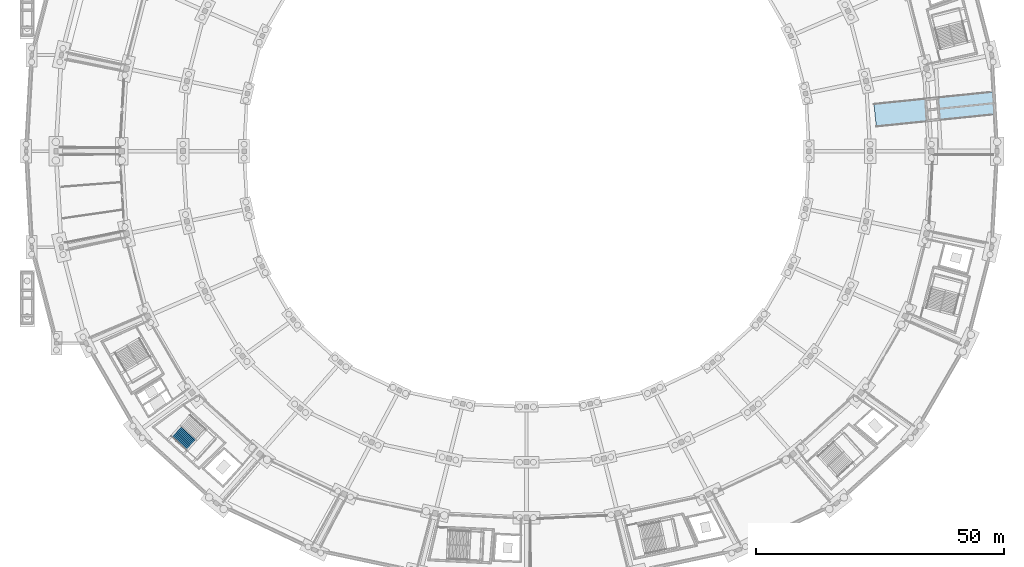
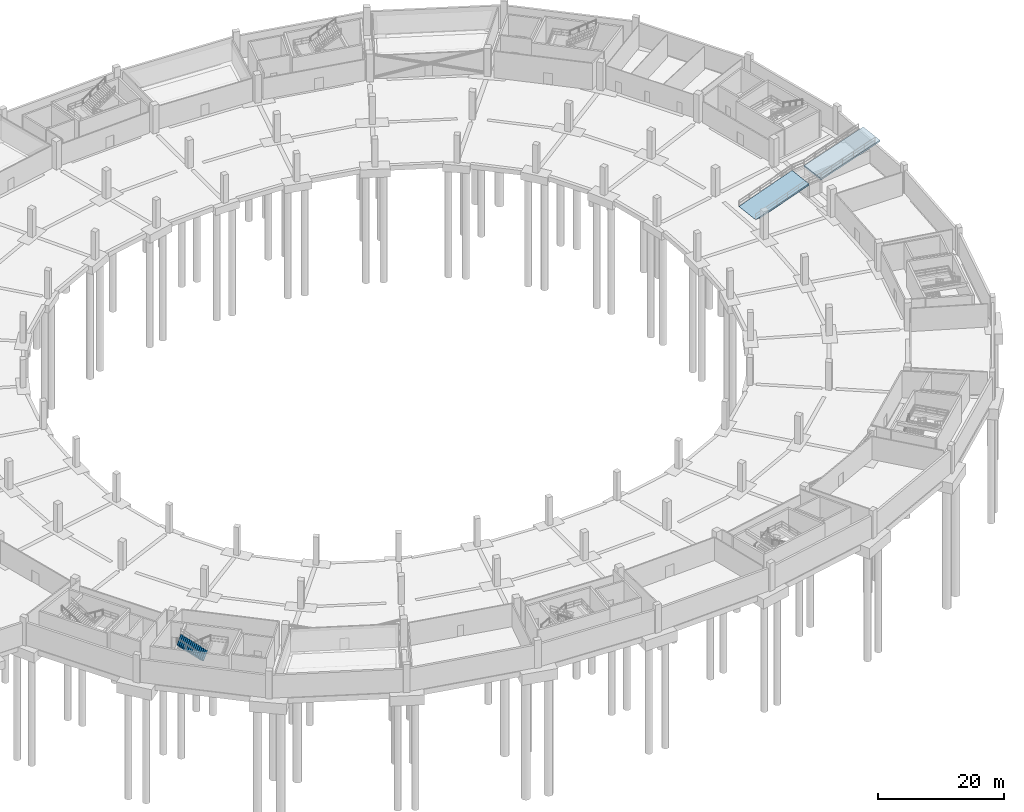
# One storey, part 19 of 49: 2 slabs, 1 stair flight, 1 element without a shape of its own.
"""IFC4 building model written with IfcOpenShell, lengths in metres."""

from ifc_helpers import new_model, si_unit, direction, frame, origin, place, context, subcontext, project, spatial, polygons, material, layer, layer_set, type_object, element, aggregate, save


model = new_model("IFC4")

# Units and contexts
model_context = context("Model", 3, precision=1e-05, world=origin(), true_north=direction((0.0, 1.0)))
body_context = subcontext(model_context, "Body", "Model", "MODEL_VIEW")
ifc_project = project(units=[si_unit("LENGTHUNIT", "METRE"), si_unit("AREAUNIT", "SQUARE_METRE"), si_unit("VOLUMEUNIT", "CUBIC_METRE"), si_unit("PLANEANGLEUNIT", "RADIAN"), si_unit("MASSUNIT", "GRAM", prefix="KILO")], contexts=[model_context])

# Site, building, storey
site_placement = place(None, origin())
site = spatial("IfcSite", under=ifc_project, at=site_placement, CompositionType="ELEMENT")
building_placement = place(site_placement, origin())
building = spatial("IfcBuilding", under=site, at=building_placement, Name="Kazemori Nagisa Stadium", CompositionType="ELEMENT")
storey_placement = place(building_placement, frame((0.0, 0.0, -5.43994140625)))
storey = spatial("IfcBuildingStorey", under=building, at=storey_placement, Name="B1", CompositionType="ELEMENT", Elevation=-5.43994140625)

# Slabs
ifc_material_1 = material(Name="Concrete C40/50 (Fc42)", Category="concrete")
ifc_layer = layer(ifc_material_1, 0.300048828125, Name="Concrete C40/50 (Fc42)", Category="concrete")
ifc_layer_set = layer_set([ifc_layer], Name="Concrete C40/50 (Fc42)")
slab_type = type_object("IfcSlabType", Name="RampFlight_RFL-VEH-08", PredefinedType="USERDEFINED", material=ifc_layer_set)
slab_1_placement = place(storey_placement, frame((193.358154296875, 109.2255859375, 0.0), z_axis=(0.0, 0.0, 1.0), x_axis=(0.994763296318, 0.102162478083, 0.0)))
element("IfcSlab", 1, at=slab_1_placement, inside=storey, type_object=slab_type, Name="Vehicle service ramp RV1 lower flight", ObjectType="RAMP FLIGHT", PredefinedType="USERDEFINED", context=body_context, shape_type="Tessellation", body=[
    polygons([(1.152099609375, -2.280029296875, 0.0), (0.0, -2.280029296875, 0.0), (10.443115234375, -2.280029296875, 2.719970703125), (10.443115234375, -2.280029296875, 2.419921875), (1.152099609375, -0.182373046875, 0.0), (0.0, -0.182373046875, 0.0), (10.443115234375, -0.182373046875, 2.719970703125), (10.443115234375, -0.182373046875, 2.419921875), (1.152099609375, 0.0, 0.0), (0.0, 0.0, 0.0), (10.443115234375, 0.0, 2.719970703125), (10.443115234375, 0.0, 2.419921875), (1.152099609375, 0.182373046875, 0.0), (0.0, 0.182373046875, 0.0), (10.443115234375, 0.182373046875, 2.719970703125), (10.443115234375, 0.182373046875, 2.419921875), (1.152099609375, 2.280029296875, 0.0), (0.0, 2.280029296875, 0.0), (10.443115234375, 2.280029296875, 2.719970703125), (10.443115234375, 2.280029296875, 2.419921875)], [[[1, 2, 6]], [[1, 6, 5]], [[2, 3, 7]], [[2, 7, 6]], [[3, 4, 8]], [[3, 8, 7]], [[4, 1, 5]], [[4, 5, 8]], [[5, 6, 10]], [[5, 10, 9]], [[6, 7, 11]], [[6, 11, 10]], [[7, 8, 12]], [[7, 12, 11]], [[8, 5, 9]], [[8, 9, 12]], [[9, 10, 14]], [[9, 14, 13]], [[10, 11, 15]], [[10, 15, 14]], [[11, 12, 16]], [[11, 16, 15]], [[12, 9, 13]], [[12, 13, 16]], [[13, 14, 18]], [[13, 18, 17]], [[14, 15, 19]], [[14, 19, 18]], [[15, 16, 20]], [[15, 20, 19]], [[16, 13, 17]], [[16, 17, 20]], [[3, 2, 1]], [[17, 18, 19]], [[4, 3, 1]], [[17, 19, 20]]], closed=True),
])
slab_2_placement = place(storey_placement, frame((206.107666015625, 110.534912109375, 2.719970703125), z_axis=(0.0, 0.0, 1.0), x_axis=(0.994772454206, 0.102169009928, 0.0)))
element("IfcSlab", 2, at=slab_2_placement, inside=storey, type_object=slab_type, Name="Vehicle service ramp RV1 upper flight", ObjectType="RAMP FLIGHT", PredefinedType="USERDEFINED", context=body_context, shape_type="Tessellation", body=[
    polygons([(0.0, -2.280029296875, -0.300048828125), (0.0, -2.280029296875, 0.0), (11.582275390625, -2.280029296875, 2.719970703125), (11.582275390625, -2.280029296875, 2.419921875), (0.0, -0.182373046875, -0.300048828125), (0.0, -0.182373046875, 0.0), (11.582275390625, -0.182373046875, 2.719970703125), (11.582275390625, -0.182373046875, 2.419921875), (0.0, 0.0, -0.300048828125), (0.0, 0.0, 0.0), (11.582275390625, 0.0, 2.719970703125), (11.582275390625, 0.0, 2.419921875), (0.0, 0.182373046875, -0.300048828125), (0.0, 0.182373046875, 0.0), (11.582275390625, 0.182373046875, 2.719970703125), (11.582275390625, 0.182373046875, 2.419921875), (0.0, 2.280029296875, -0.300048828125), (0.0, 2.280029296875, 0.0), (11.582275390625, 2.280029296875, 2.719970703125), (11.582275390625, 2.280029296875, 2.419921875)], [[[1, 2, 6]], [[1, 6, 5]], [[2, 3, 7]], [[2, 7, 6]], [[3, 4, 8]], [[3, 8, 7]], [[4, 1, 5]], [[4, 5, 8]], [[5, 6, 10]], [[5, 10, 9]], [[6, 7, 11]], [[6, 11, 10]], [[7, 8, 12]], [[7, 12, 11]], [[8, 5, 9]], [[8, 9, 12]], [[9, 10, 14]], [[9, 14, 13]], [[10, 11, 15]], [[10, 15, 14]], [[11, 12, 16]], [[11, 16, 15]], [[12, 9, 13]], [[12, 13, 16]], [[13, 14, 18]], [[13, 18, 17]], [[14, 15, 19]], [[14, 19, 18]], [[15, 16, 20]], [[15, 20, 19]], [[16, 13, 17]], [[16, 17, 20]], [[3, 2, 1]], [[17, 18, 19]], [[4, 3, 1]], [[17, 19, 20]]], closed=True),
])

# Stair, stair flight
ifc_material_2 = material(Name="Concrete C36/45 (Fc36)", Category="concrete")
stair_type = type_object("IfcStairType", Name="Stair_CORE_32", PredefinedType="TWO_STRAIGHT_RUN_STAIR", material=ifc_material_2)
stair_placement = place(storey_placement, origin())
stair = element("IfcStair", 3, at=stair_placement, inside=storey, type_object=stair_type, Name="Exit stair ST03 B1", PredefinedType="TWO_STRAIGHT_RUN_STAIR")
stair_flight_type = type_object("IfcStairFlightType", Name="Flight_CORE_16", PredefinedType="STRAIGHT", material=ifc_material_2)
stair_flight_placement = place(storey_placement, frame((55.4609375, 42.593994140625, 2.719970703125), z_axis=(0.0, 0.0, 1.0), x_axis=(-0.741357156534, 0.671110696127, 0.0)))
stair_flight = element("IfcStairFlight", 4, at=stair_flight_placement, type_object=stair_flight_type, Name="Exit stair ST03 B1 flight 2", NumberOfRisers=16, NumberOfTreads=15, PredefinedType="STRAIGHT", RiserHeight=0.17, TreadLength=0.285, context=body_context, shape_type="Tessellation", body=[
    polygons([(0.0, -1.425048828125, 0.0), (0.0, -1.425048828125, 0.169921875), (0.284912109375, -1.425048828125, 0.169921875), (0.284912109375, -1.425048828125, 0.340087890625), (0.570068359375, -1.425048828125, 0.340087890625), (0.570068359375, -1.425048828125, 0.510009765625), (0.85498046875, -1.425048828125, 0.510009765625), (0.85498046875, -1.425048828125, 0.679931640625), (1.139892578125, -1.425048828125, 0.679931640625), (1.139892578125, -1.425048828125, 0.85009765625), (1.425048828125, -1.425048828125, 0.85009765625), (1.425048828125, -1.425048828125, 1.02001953125), (1.7099609375, -1.425048828125, 1.02001953125), (1.7099609375, -1.425048828125, 1.18994140625), (1.9951171875, -1.425048828125, 1.18994140625), (1.9951171875, -1.425048828125, 1.360107421875), (2.280029296875, -1.425048828125, 1.360107421875), (2.280029296875, -1.425048828125, 1.530029296875), (2.56494140625, -1.425048828125, 1.530029296875), (2.56494140625, -1.425048828125, 1.699951171875), (2.85009765625, -1.425048828125, 1.699951171875), (2.85009765625, -1.425048828125, 1.8701171875), (3.135009765625, -1.425048828125, 1.8701171875), (3.135009765625, -1.425048828125, 2.0400390625), (3.419921875, -1.425048828125, 2.0400390625), (3.419921875, -1.425048828125, 2.2099609375), (3.705078125, -1.425048828125, 2.2099609375), (3.705078125, -1.425048828125, 2.3798828125), (3.989990234375, -1.425048828125, 2.3798828125), (3.989990234375, -1.425048828125, 2.550048828125), (4.27490234375, -1.425048828125, 2.550048828125), (4.27490234375, -1.425048828125, 2.719970703125), (4.324951171875, -1.425048828125, 2.719970703125), (4.324951171875, -1.425048828125, 2.346923828125), (4.27490234375, -1.425048828125, 2.317138671875), (3.989990234375, -1.425048828125, 2.147216796875), (3.705078125, -1.425048828125, 1.977294921875), (3.419921875, -1.425048828125, 1.80712890625), (3.135009765625, -1.425048828125, 1.63720703125), (2.85009765625, -1.425048828125, 1.46728515625), (2.56494140625, -1.425048828125, 1.297119140625), (2.280029296875, -1.425048828125, 1.127197265625), (1.9951171875, -1.425048828125, 0.957275390625), (1.7099609375, -1.425048828125, 0.787109375), (1.425048828125, -1.425048828125, 0.6171875), (1.139892578125, -1.425048828125, 0.447265625), (0.85498046875, -1.425048828125, 0.277099609375), (0.570068359375, -1.425048828125, 0.107177734375), (0.284912109375, -1.425048828125, 0.0), (0.0, -0.08544921875, 0.0), (0.0, -0.08544921875, 0.169921875), (0.284912109375, -0.08544921875, 0.169921875), (0.284912109375, -0.08544921875, 0.340087890625), (0.570068359375, -0.08544921875, 0.340087890625), (0.570068359375, -0.08544921875, 0.510009765625), (0.85498046875, -0.08544921875, 0.510009765625), (0.85498046875, -0.08544921875, 0.679931640625), (1.139892578125, -0.08544921875, 0.679931640625), (1.139892578125, -0.08544921875, 0.85009765625), (1.425048828125, -0.08544921875, 0.85009765625), (1.425048828125, -0.08544921875, 1.02001953125), (1.7099609375, -0.08544921875, 1.02001953125), (1.7099609375, -0.08544921875, 1.18994140625), (1.9951171875, -0.08544921875, 1.18994140625), (1.9951171875, -0.08544921875, 1.360107421875), (2.280029296875, -0.08544921875, 1.360107421875), (2.280029296875, -0.08544921875, 1.530029296875), (2.56494140625, -0.08544921875, 1.530029296875), (2.56494140625, -0.08544921875, 1.699951171875), (2.85009765625, -0.08544921875, 1.699951171875), (2.85009765625, -0.08544921875, 1.8701171875), (3.135009765625, -0.08544921875, 1.8701171875), (3.135009765625, -0.08544921875, 2.0400390625), (3.419921875, -0.08544921875, 2.0400390625), (3.419921875, -0.08544921875, 2.2099609375), (3.705078125, -0.08544921875, 2.2099609375), (3.705078125, -0.08544921875, 2.3798828125), (3.989990234375, -0.08544921875, 2.3798828125), (3.989990234375, -0.08544921875, 2.550048828125), (4.27490234375, -0.08544921875, 2.550048828125), (4.27490234375, -0.08544921875, 2.719970703125), (4.324951171875, -0.08544921875, 2.719970703125), (4.324951171875, -0.08544921875, 2.346923828125), (4.27490234375, -0.08544921875, 2.317138671875), (3.989990234375, -0.08544921875, 2.147216796875), (3.705078125, -0.08544921875, 1.977294921875), (3.419921875, -0.08544921875, 1.80712890625), (3.135009765625, -0.08544921875, 1.63720703125), (2.85009765625, -0.08544921875, 1.46728515625), (2.56494140625, -0.08544921875, 1.297119140625), (2.280029296875, -0.08544921875, 1.127197265625), (1.9951171875, -0.08544921875, 0.957275390625), (1.7099609375, -0.08544921875, 0.787109375), (1.425048828125, -0.08544921875, 0.6171875), (1.139892578125, -0.08544921875, 0.447265625), (0.85498046875, -0.08544921875, 0.277099609375), (0.570068359375, -0.08544921875, 0.107177734375), (0.284912109375, -0.08544921875, 0.0), (0.0, 0.0, 0.0), (0.0, 0.0, 0.169921875), (0.284912109375, 0.0, 0.169921875), (0.284912109375, 0.0, 0.340087890625), (0.570068359375, 0.0, 0.340087890625), (0.570068359375, 0.0, 0.510009765625), (0.85498046875, 0.0, 0.510009765625), (0.85498046875, 0.0, 0.679931640625), (1.139892578125, 0.0, 0.679931640625), (1.139892578125, 0.0, 0.85009765625), (1.425048828125, 0.0, 0.85009765625), (1.425048828125, 0.0, 1.02001953125), (1.7099609375, 0.0, 1.02001953125), (1.7099609375, 0.0, 1.18994140625), (1.9951171875, 0.0, 1.18994140625), (1.9951171875, 0.0, 1.360107421875), (2.280029296875, 0.0, 1.360107421875), (2.280029296875, 0.0, 1.530029296875), (2.56494140625, 0.0, 1.530029296875), (2.56494140625, 0.0, 1.699951171875), (2.85009765625, 0.0, 1.699951171875), (2.85009765625, 0.0, 1.8701171875), (3.135009765625, 0.0, 1.8701171875), (3.135009765625, 0.0, 2.0400390625), (3.419921875, 0.0, 2.0400390625), (3.419921875, 0.0, 2.2099609375), (3.705078125, 0.0, 2.2099609375), (3.705078125, 0.0, 2.3798828125), (3.989990234375, 0.0, 2.3798828125), (3.989990234375, 0.0, 2.550048828125), (4.27490234375, 0.0, 2.550048828125), (4.27490234375, 0.0, 2.719970703125), (4.324951171875, 0.0, 2.719970703125), (4.324951171875, 0.0, 2.346923828125), (4.27490234375, 0.0, 2.317138671875), (3.989990234375, 0.0, 2.147216796875), (3.705078125, 0.0, 1.977294921875), (3.419921875, 0.0, 1.80712890625), (3.135009765625, 0.0, 1.63720703125), (2.85009765625, 0.0, 1.46728515625), (2.56494140625, 0.0, 1.297119140625), (2.280029296875, 0.0, 1.127197265625), (1.9951171875, 0.0, 0.957275390625), (1.7099609375, 0.0, 0.787109375), (1.425048828125, 0.0, 0.6171875), (1.139892578125, 0.0, 0.447265625), (0.85498046875, 0.0, 0.277099609375), (0.570068359375, 0.0, 0.107177734375), (0.284912109375, 0.0, 0.0), (0.0, 0.08544921875, 0.0), (0.0, 0.08544921875, 0.169921875), (0.284912109375, 0.08544921875, 0.169921875), (0.284912109375, 0.08544921875, 0.340087890625), (0.570068359375, 0.08544921875, 0.340087890625), (0.570068359375, 0.08544921875, 0.510009765625), (0.85498046875, 0.08544921875, 0.510009765625), (0.85498046875, 0.08544921875, 0.679931640625), (1.139892578125, 0.08544921875, 0.679931640625), (1.139892578125, 0.08544921875, 0.85009765625), (1.425048828125, 0.08544921875, 0.85009765625), (1.425048828125, 0.08544921875, 1.02001953125), (1.7099609375, 0.08544921875, 1.02001953125), (1.7099609375, 0.08544921875, 1.18994140625), (1.9951171875, 0.08544921875, 1.18994140625), (1.9951171875, 0.08544921875, 1.360107421875), (2.280029296875, 0.08544921875, 1.360107421875), (2.280029296875, 0.08544921875, 1.530029296875), (2.56494140625, 0.08544921875, 1.530029296875), (2.56494140625, 0.08544921875, 1.699951171875), (2.85009765625, 0.08544921875, 1.699951171875), (2.85009765625, 0.08544921875, 1.8701171875), (3.135009765625, 0.08544921875, 1.8701171875), (3.135009765625, 0.08544921875, 2.0400390625), (3.419921875, 0.08544921875, 2.0400390625), (3.419921875, 0.08544921875, 2.2099609375), (3.705078125, 0.08544921875, 2.2099609375), (3.705078125, 0.08544921875, 2.3798828125), (3.989990234375, 0.08544921875, 2.3798828125), (3.989990234375, 0.08544921875, 2.550048828125), (4.27490234375, 0.08544921875, 2.550048828125), (4.27490234375, 0.08544921875, 2.719970703125), (4.324951171875, 0.08544921875, 2.719970703125), (4.324951171875, 0.08544921875, 2.346923828125), (4.27490234375, 0.08544921875, 2.317138671875), (3.989990234375, 0.08544921875, 2.147216796875), (3.705078125, 0.08544921875, 1.977294921875), (3.419921875, 0.08544921875, 1.80712890625), (3.135009765625, 0.08544921875, 1.63720703125), (2.85009765625, 0.08544921875, 1.46728515625), (2.56494140625, 0.08544921875, 1.297119140625), (2.280029296875, 0.08544921875, 1.127197265625), (1.9951171875, 0.08544921875, 0.957275390625), (1.7099609375, 0.08544921875, 0.787109375), (1.425048828125, 0.08544921875, 0.6171875), (1.139892578125, 0.08544921875, 0.447265625), (0.85498046875, 0.08544921875, 0.277099609375), (0.570068359375, 0.08544921875, 0.107177734375), (0.284912109375, 0.08544921875, 0.0), (0.0, 1.425048828125, 0.0), (0.0, 1.425048828125, 0.169921875), (0.284912109375, 1.425048828125, 0.169921875), (0.284912109375, 1.425048828125, 0.340087890625), (0.570068359375, 1.425048828125, 0.340087890625), (0.570068359375, 1.425048828125, 0.510009765625), (0.85498046875, 1.425048828125, 0.510009765625), (0.85498046875, 1.425048828125, 0.679931640625), (1.139892578125, 1.425048828125, 0.679931640625), (1.139892578125, 1.425048828125, 0.85009765625), (1.425048828125, 1.425048828125, 0.85009765625), (1.425048828125, 1.425048828125, 1.02001953125), (1.7099609375, 1.425048828125, 1.02001953125), (1.7099609375, 1.425048828125, 1.18994140625), (1.9951171875, 1.425048828125, 1.18994140625), (1.9951171875, 1.425048828125, 1.360107421875), (2.280029296875, 1.425048828125, 1.360107421875), (2.280029296875, 1.425048828125, 1.530029296875), (2.56494140625, 1.425048828125, 1.530029296875), (2.56494140625, 1.425048828125, 1.699951171875), (2.85009765625, 1.425048828125, 1.699951171875), (2.85009765625, 1.425048828125, 1.8701171875), (3.135009765625, 1.425048828125, 1.8701171875), (3.135009765625, 1.425048828125, 2.0400390625), (3.419921875, 1.425048828125, 2.0400390625), (3.419921875, 1.425048828125, 2.2099609375), (3.705078125, 1.425048828125, 2.2099609375), (3.705078125, 1.425048828125, 2.3798828125), (3.989990234375, 1.425048828125, 2.3798828125), (3.989990234375, 1.425048828125, 2.550048828125), (4.27490234375, 1.425048828125, 2.550048828125), (4.27490234375, 1.425048828125, 2.719970703125), (4.324951171875, 1.425048828125, 2.719970703125), (4.324951171875, 1.425048828125, 2.346923828125), (4.27490234375, 1.425048828125, 2.317138671875), (3.989990234375, 1.425048828125, 2.147216796875), (3.705078125, 1.425048828125, 1.977294921875), (3.419921875, 1.425048828125, 1.80712890625), (3.135009765625, 1.425048828125, 1.63720703125), (2.85009765625, 1.425048828125, 1.46728515625), (2.56494140625, 1.425048828125, 1.297119140625), (2.280029296875, 1.425048828125, 1.127197265625), (1.9951171875, 1.425048828125, 0.957275390625), (1.7099609375, 1.425048828125, 0.787109375), (1.425048828125, 1.425048828125, 0.6171875), (1.139892578125, 1.425048828125, 0.447265625), (0.85498046875, 1.425048828125, 0.277099609375), (0.570068359375, 1.425048828125, 0.107177734375), (0.284912109375, 1.425048828125, 0.0)], [[[1, 2, 51]], [[1, 51, 50]], [[2, 3, 52]], [[2, 52, 51]], [[3, 4, 53]], [[3, 53, 52]], [[4, 5, 54]], [[4, 54, 53]], [[5, 6, 55]], [[5, 55, 54]], [[6, 7, 56]], [[6, 56, 55]], [[7, 8, 57]], [[7, 57, 56]], [[8, 9, 58]], [[8, 58, 57]], [[9, 10, 59]], [[9, 59, 58]], [[10, 11, 60]], [[10, 60, 59]], [[11, 12, 61]], [[11, 61, 60]], [[12, 13, 62]], [[12, 62, 61]], [[13, 14, 63]], [[13, 63, 62]], [[14, 15, 64]], [[14, 64, 63]], [[15, 16, 65]], [[15, 65, 64]], [[16, 17, 66]], [[16, 66, 65]], [[17, 18, 67]], [[17, 67, 66]], [[18, 19, 68]], [[18, 68, 67]], [[19, 20, 69]], [[19, 69, 68]], [[20, 21, 70]], [[20, 70, 69]], [[21, 22, 71]], [[21, 71, 70]], [[22, 23, 72]], [[22, 72, 71]], [[23, 24, 73]], [[23, 73, 72]], [[24, 25, 74]], [[24, 74, 73]], [[25, 26, 75]], [[25, 75, 74]], [[26, 27, 76]], [[26, 76, 75]], [[27, 28, 77]], [[27, 77, 76]], [[28, 29, 78]], [[28, 78, 77]], [[29, 30, 79]], [[29, 79, 78]], [[30, 31, 80]], [[30, 80, 79]], [[31, 32, 81]], [[31, 81, 80]], [[32, 33, 82]], [[32, 82, 81]], [[33, 34, 83]], [[33, 83, 82]], [[34, 35, 84]], [[34, 84, 83]], [[35, 36, 85]], [[35, 85, 84]], [[36, 37, 86]], [[36, 86, 85]], [[37, 38, 87]], [[37, 87, 86]], [[38, 39, 88]], [[38, 88, 87]], [[39, 40, 89]], [[39, 89, 88]], [[40, 41, 90]], [[40, 90, 89]], [[41, 42, 91]], [[41, 91, 90]], [[42, 43, 92]], [[42, 92, 91]], [[43, 44, 93]], [[43, 93, 92]], [[44, 45, 94]], [[44, 94, 93]], [[45, 46, 95]], [[45, 95, 94]], [[46, 47, 96]], [[46, 96, 95]], [[47, 48, 97]], [[47, 97, 96]], [[48, 49, 98]], [[48, 98, 97]], [[49, 1, 50]], [[49, 50, 98]], [[50, 51, 100]], [[50, 100, 99]], [[51, 52, 101]], [[51, 101, 100]], [[52, 53, 102]], [[52, 102, 101]], [[53, 54, 103]], [[53, 103, 102]], [[54, 55, 104]], [[54, 104, 103]], [[55, 56, 105]], [[55, 105, 104]], [[56, 57, 106]], [[56, 106, 105]], [[57, 58, 107]], [[57, 107, 106]], [[58, 59, 108]], [[58, 108, 107]], [[59, 60, 109]], [[59, 109, 108]], [[60, 61, 110]], [[60, 110, 109]], [[61, 62, 111]], [[61, 111, 110]], [[62, 63, 112]], [[62, 112, 111]], [[63, 64, 113]], [[63, 113, 112]], [[64, 65, 114]], [[64, 114, 113]], [[65, 66, 115]], [[65, 115, 114]], [[66, 67, 116]], [[66, 116, 115]], [[67, 68, 117]], [[67, 117, 116]], [[68, 69, 118]], [[68, 118, 117]], [[69, 70, 119]], [[69, 119, 118]], [[70, 71, 120]], [[70, 120, 119]], [[71, 72, 121]], [[71, 121, 120]], [[72, 73, 122]], [[72, 122, 121]], [[73, 74, 123]], [[73, 123, 122]], [[74, 75, 124]], [[74, 124, 123]], [[75, 76, 125]], [[75, 125, 124]], [[76, 77, 126]], [[76, 126, 125]], [[77, 78, 127]], [[77, 127, 126]], [[78, 79, 128]], [[78, 128, 127]], [[79, 80, 129]], [[79, 129, 128]], [[80, 81, 130]], [[80, 130, 129]], [[81, 82, 131]], [[81, 131, 130]], [[82, 83, 132]], [[82, 132, 131]], [[83, 84, 133]], [[83, 133, 132]], [[84, 85, 134]], [[84, 134, 133]], [[85, 86, 135]], [[85, 135, 134]], [[86, 87, 136]], [[86, 136, 135]], [[87, 88, 137]], [[87, 137, 136]], [[88, 89, 138]], [[88, 138, 137]], [[89, 90, 139]], [[89, 139, 138]], [[90, 91, 140]], [[90, 140, 139]], [[91, 92, 141]], [[91, 141, 140]], [[92, 93, 142]], [[92, 142, 141]], [[93, 94, 143]], [[93, 143, 142]], [[94, 95, 144]], [[94, 144, 143]], [[95, 96, 145]], [[95, 145, 144]], [[96, 97, 146]], [[96, 146, 145]], [[97, 98, 147]], [[97, 147, 146]], [[98, 50, 99]], [[98, 99, 147]], [[99, 100, 149]], [[99, 149, 148]], [[100, 101, 150]], [[100, 150, 149]], [[101, 102, 151]], [[101, 151, 150]], [[102, 103, 152]], [[102, 152, 151]], [[103, 104, 153]], [[103, 153, 152]], [[104, 105, 154]], [[104, 154, 153]], [[105, 106, 155]], [[105, 155, 154]], [[106, 107, 156]], [[106, 156, 155]], [[107, 108, 157]], [[107, 157, 156]], [[108, 109, 158]], [[108, 158, 157]], [[109, 110, 159]], [[109, 159, 158]], [[110, 111, 160]], [[110, 160, 159]], [[111, 112, 161]], [[111, 161, 160]], [[112, 113, 162]], [[112, 162, 161]], [[113, 114, 163]], [[113, 163, 162]], [[114, 115, 164]], [[114, 164, 163]], [[115, 116, 165]], [[115, 165, 164]], [[116, 117, 166]], [[116, 166, 165]], [[117, 118, 167]], [[117, 167, 166]], [[118, 119, 168]], [[118, 168, 167]], [[119, 120, 169]], [[119, 169, 168]], [[120, 121, 170]], [[120, 170, 169]], [[121, 122, 171]], [[121, 171, 170]], [[122, 123, 172]], [[122, 172, 171]], [[123, 124, 173]], [[123, 173, 172]], [[124, 125, 174]], [[124, 174, 173]], [[125, 126, 175]], [[125, 175, 174]], [[126, 127, 176]], [[126, 176, 175]], [[127, 128, 177]], [[127, 177, 176]], [[128, 129, 178]], [[128, 178, 177]], [[129, 130, 179]], [[129, 179, 178]], [[130, 131, 180]], [[130, 180, 179]], [[131, 132, 181]], [[131, 181, 180]], [[132, 133, 182]], [[132, 182, 181]], [[133, 134, 183]], [[133, 183, 182]], [[134, 135, 184]], [[134, 184, 183]], [[135, 136, 185]], [[135, 185, 184]], [[136, 137, 186]], [[136, 186, 185]], [[137, 138, 187]], [[137, 187, 186]], [[138, 139, 188]], [[138, 188, 187]], [[139, 140, 189]], [[139, 189, 188]], [[140, 141, 190]], [[140, 190, 189]], [[141, 142, 191]], [[141, 191, 190]], [[142, 143, 192]], [[142, 192, 191]], [[143, 144, 193]], [[143, 193, 192]], [[144, 145, 194]], [[144, 194, 193]], [[145, 146, 195]], [[145, 195, 194]], [[146, 147, 196]], [[146, 196, 195]], [[147, 99, 148]], [[147, 148, 196]], [[148, 149, 198]], [[148, 198, 197]], [[149, 150, 199]], [[149, 199, 198]], [[150, 151, 200]], [[150, 200, 199]], [[151, 152, 201]], [[151, 201, 200]], [[152, 153, 202]], [[152, 202, 201]], [[153, 154, 203]], [[153, 203, 202]], [[154, 155, 204]], [[154, 204, 203]], [[155, 156, 205]], [[155, 205, 204]], [[156, 157, 206]], [[156, 206, 205]], [[157, 158, 207]], [[157, 207, 206]], [[158, 159, 208]], [[158, 208, 207]], [[159, 160, 209]], [[159, 209, 208]], [[160, 161, 210]], [[160, 210, 209]], [[161, 162, 211]], [[161, 211, 210]], [[162, 163, 212]], [[162, 212, 211]], [[163, 164, 213]], [[163, 213, 212]], [[164, 165, 214]], [[164, 214, 213]], [[165, 166, 215]], [[165, 215, 214]], [[166, 167, 216]], [[166, 216, 215]], [[167, 168, 217]], [[167, 217, 216]], [[168, 169, 218]], [[168, 218, 217]], [[169, 170, 219]], [[169, 219, 218]], [[170, 171, 220]], [[170, 220, 219]], [[171, 172, 221]], [[171, 221, 220]], [[172, 173, 222]], [[172, 222, 221]], [[173, 174, 223]], [[173, 223, 222]], [[174, 175, 224]], [[174, 224, 223]], [[175, 176, 225]], [[175, 225, 224]], [[176, 177, 226]], [[176, 226, 225]], [[177, 178, 227]], [[177, 227, 226]], [[178, 179, 228]], [[178, 228, 227]], [[179, 180, 229]], [[179, 229, 228]], [[180, 181, 230]], [[180, 230, 229]], [[181, 182, 231]], [[181, 231, 230]], [[182, 183, 232]], [[182, 232, 231]], [[183, 184, 233]], [[183, 233, 232]], [[184, 185, 234]], [[184, 234, 233]], [[185, 186, 235]], [[185, 235, 234]], [[186, 187, 236]], [[186, 236, 235]], [[187, 188, 237]], [[187, 237, 236]], [[188, 189, 238]], [[188, 238, 237]], [[189, 190, 239]], [[189, 239, 238]], [[190, 191, 240]], [[190, 240, 239]], [[191, 192, 241]], [[191, 241, 240]], [[192, 193, 242]], [[192, 242, 241]], [[193, 194, 243]], [[193, 243, 242]], [[194, 195, 244]], [[194, 244, 243]], [[195, 196, 245]], [[195, 245, 244]], [[196, 148, 197]], [[196, 197, 245]], [[3, 2, 1]], [[197, 198, 199]], [[49, 3, 1]], [[197, 199, 245]], [[48, 3, 49]], [[245, 199, 244]], [[5, 3, 48]], [[244, 199, 201]], [[5, 4, 3]], [[199, 200, 201]], [[47, 5, 48]], [[244, 201, 243]], [[7, 5, 47]], [[243, 201, 203]], [[7, 6, 5]], [[201, 202, 203]], [[46, 7, 47]], [[243, 203, 242]], [[9, 7, 46]], [[242, 203, 205]], [[9, 8, 7]], [[203, 204, 205]], [[45, 9, 46]], [[242, 205, 241]], [[11, 9, 45]], [[241, 205, 207]], [[11, 10, 9]], [[205, 206, 207]], [[44, 11, 45]], [[241, 207, 240]], [[13, 11, 44]], [[240, 207, 209]], [[13, 12, 11]], [[207, 208, 209]], [[43, 13, 44]], [[240, 209, 239]], [[15, 13, 43]], [[239, 209, 211]], [[15, 14, 13]], [[209, 210, 211]], [[42, 15, 43]], [[239, 211, 238]], [[17, 15, 42]], [[238, 211, 213]], [[17, 16, 15]], [[211, 212, 213]], [[41, 17, 42]], [[238, 213, 237]], [[19, 17, 41]], [[237, 213, 215]], [[19, 18, 17]], [[213, 214, 215]], [[40, 19, 41]], [[237, 215, 236]], [[21, 19, 40]], [[236, 215, 217]], [[21, 20, 19]], [[215, 216, 217]], [[39, 21, 40]], [[236, 217, 235]], [[23, 21, 39]], [[235, 217, 219]], [[23, 22, 21]], [[217, 218, 219]], [[38, 23, 39]], [[235, 219, 234]], [[25, 23, 38]], [[234, 219, 221]], [[25, 24, 23]], [[219, 220, 221]], [[37, 25, 38]], [[234, 221, 233]], [[27, 25, 37]], [[233, 221, 223]], [[27, 26, 25]], [[221, 222, 223]], [[36, 27, 37]], [[233, 223, 232]], [[29, 27, 36]], [[232, 223, 225]], [[29, 28, 27]], [[223, 224, 225]], [[35, 29, 36]], [[232, 225, 231]], [[31, 29, 35]], [[231, 225, 227]], [[31, 30, 29]], [[225, 226, 227]], [[34, 31, 35]], [[231, 227, 230]], [[33, 31, 34]], [[230, 227, 229]], [[33, 32, 31]], [[227, 228, 229]]], closed=True),
])
aggregate(stair, [stair_flight])

save(model, "model.ifc")
